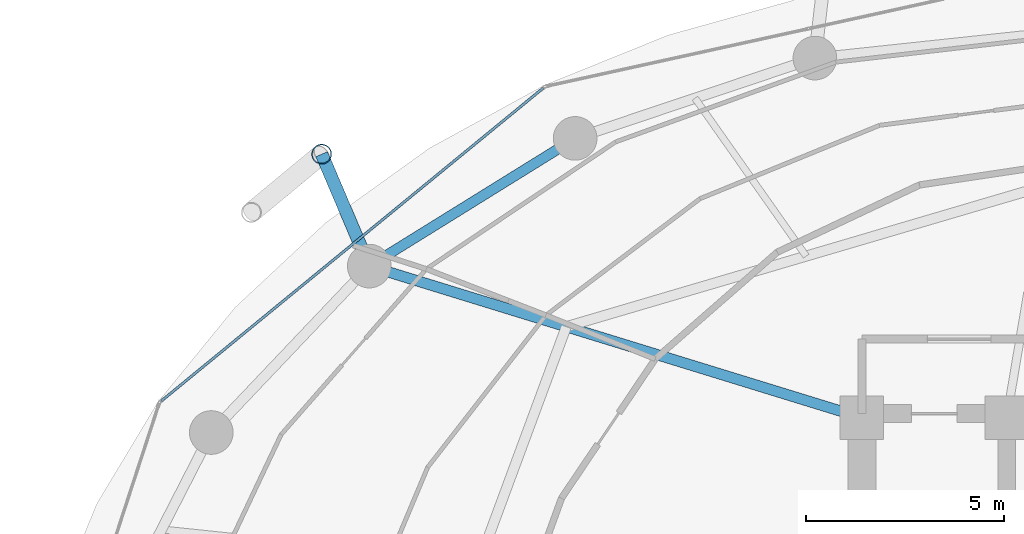
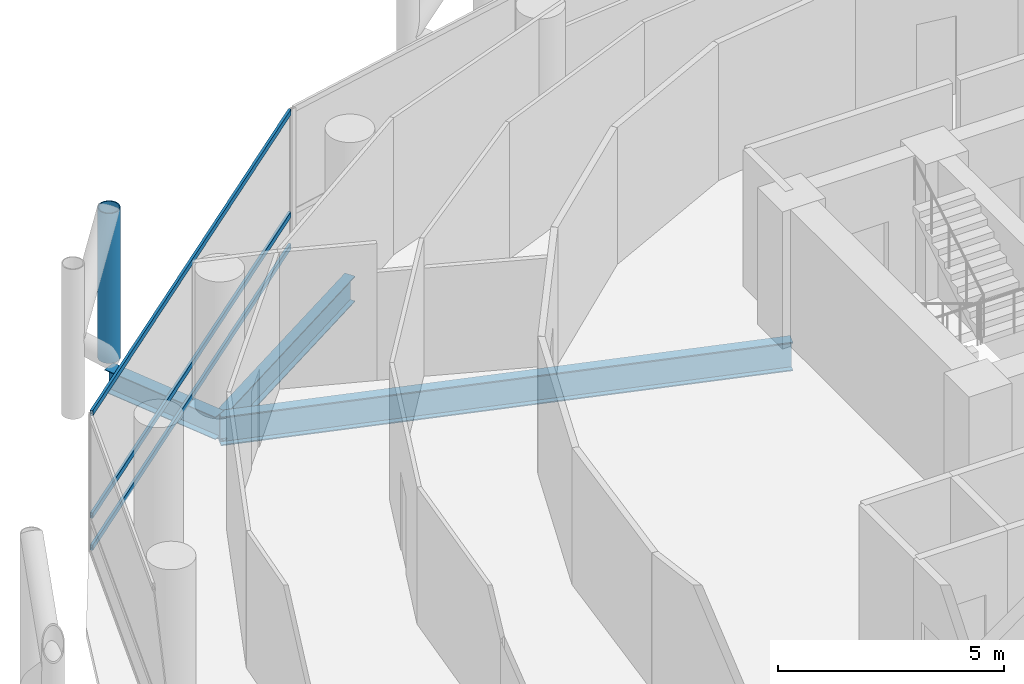
# One storey, part 14 of 27: 4 members, 3 beams, 1 element without a shape of its own.
"""IFC4 building model written with IfcOpenShell, lengths in metres."""

from ifc_helpers import new_model, si_unit, direction, frame, origin, origin_2d, place, context, subcontext, project, spatial, hollow_rectangle, hollow_circle, i_section, extrude, material, layer, layer_set, material_profile, profile_set, type_object, element, aggregate, save


model = new_model("IFC4")

# Units and contexts
model_context = context("Model", 3, precision=1e-05, world=origin(), true_north=direction((0.0, 1.0)))
body_context = subcontext(model_context, "Body", "Model", "MODEL_VIEW")
ifc_project = project(units=[si_unit("LENGTHUNIT", "METRE"), si_unit("AREAUNIT", "SQUARE_METRE"), si_unit("VOLUMEUNIT", "CUBIC_METRE"), si_unit("PLANEANGLEUNIT", "RADIAN"), si_unit("MASSUNIT", "GRAM", prefix="KILO")], contexts=[model_context])

# Site, building, storey
site_placement = place(None, origin())
site = spatial("IfcSite", under=ifc_project, at=site_placement, CompositionType="ELEMENT")
building_placement = place(site_placement, origin())
building = spatial("IfcBuilding", under=site, at=building_placement, Name="Nuhasar Tower", CompositionType="ELEMENT")
storey_placement = place(building_placement, frame((0.0, 0.0, 102.0)))
storey = spatial("IfcBuildingStorey", under=building, at=storey_placement, Name="L24", CompositionType="ELEMENT", Elevation=102.0)

# Beams
ifc_material_1 = material(Name="Steel S355", Category="steel")
ifc_material_profile_1 = material_profile(ifc_material_1, i_section(OverallWidth=0.26611328125, OverallDepth=0.779052734375, WebThickness=0.0166015625, FlangeThickness=0.030029296875, at=origin_2d()), Name="W30X148")
ifc_profile_set_1 = profile_set([ifc_material_profile_1], Name="Steel S355")
beam_type_1 = type_object("IfcBeamType", Name="BM-RAD-W30X148", PredefinedType="BEAM", material=ifc_profile_set_1)
beam_1_placement = place(storey_placement, frame((33.699951171875, 37.300048828125, -0.638916015625), z_axis=(-0.955789576103, 0.294051502653, 0.0), x_axis=(-0.294051502653, -0.955789576103, 0.0)))
element("IfcBeam", 1, at=beam_1_placement, inside=storey, type_object=beam_type_1, Name="L24 Radial Floor Girder 07", PredefinedType="BEAM", context=body_context, shape_type="SweptSolid", body=[
    extrude(i_section(OverallWidth=0.26611328125, OverallDepth=0.779052734375, WebThickness=0.0166015625, FlangeThickness=0.030029296875, at=origin_2d()), origin(), (0.0, 0.0, 1.0), 12.987060546875),
])
ifc_material_profile_2 = material_profile(ifc_material_1, i_section(OverallWidth=0.256103515625, OverallDepth=0.693115234375, WebThickness=0.014404296875, FlangeThickness=0.023681640625, at=origin_2d()), Name="W27X114")
ifc_profile_set_2 = profile_set([ifc_material_profile_2], Name="Steel S355")
beam_type_2 = type_object("IfcBeamType", Name="BM-RING-W27X114", PredefinedType="SPANDREL", material=ifc_profile_set_2)
beam_2_placement = place(storey_placement, frame((26.47509765625, 44.3369140625, -0.596923828125), z_axis=(-0.849795216549, -0.527112976439, 0.0), x_axis=(0.527112976439, -0.849795216549, 0.0)))
element("IfcBeam", 2, at=beam_2_placement, inside=storey, type_object=beam_type_2, Name="L24 Perimeter Ring Spandrel 09", PredefinedType="SPANDREL", context=body_context, shape_type="SweptSolid", body=[
    extrude(i_section(OverallWidth=0.256103515625, OverallDepth=0.693115234375, WebThickness=0.014404296875, FlangeThickness=0.023681640625, at=origin_2d()), origin(), (0.0, 0.0, 1.0), 6.10498046875),
])
ifc_material_profile_3 = material_profile(ifc_material_1, i_section(OverallWidth=0.323974609375, OverallDepth=0.611083984375, WebThickness=0.0126953125, FlangeThickness=0.01904296875, at=origin_2d()), Name="W24X104")
ifc_profile_set_3 = profile_set([ifc_material_profile_3], Name="Steel S355")
beam_type_3 = type_object("IfcBeamType", Name="BM-TIE-W24X104", PredefinedType="BEAM", material=ifc_profile_set_3)
beam_3_placement = place(storey_placement, frame((21.287109375, 41.118896484375, -0.554931640625), z_axis=(-0.391601084021, 0.920135093882, 0.0), x_axis=(-0.920135093882, -0.391601084021, 0.0)))
element("IfcBeam", 3, at=beam_3_placement, inside=storey, type_object=beam_type_3, Name="L24 Exoskeleton Node Tie Beam 05", PredefinedType="BEAM", context=body_context, shape_type="SweptSolid", body=[
    extrude(i_section(OverallWidth=0.323974609375, OverallDepth=0.611083984375, WebThickness=0.0126953125, FlangeThickness=0.01904296875, at=origin_2d()), origin(), (0.0, 0.0, 1.0), 3.06494140625),
])

# Curtain wall, members
ifc_material_2 = material(Name="Aluminium 6063-T6", Category="aluminium")
ifc_layer = layer(ifc_material_2, 0.199951171875)
ifc_layer_set = layer_set([ifc_layer], Name="Aluminium 6063-T6")
curtain_wall_type = type_object("IfcCurtainWallType", Name="CW-Z1-OFF", PredefinedType="NOTDEFINED", material=ifc_layer_set)
curtain_wall_placement = place(storey_placement, origin())
curtain_wall = element("IfcCurtainWall", 4, at=curtain_wall_placement, inside=storey, type_object=curtain_wall_type, Name="L24 Unitised Curtain Wall 05", PredefinedType="NOTDEFINED")
ifc_material_profile_4 = material_profile(ifc_material_2, hollow_rectangle(XDim=0.06494140625, YDim=0.14990234375, WallThickness=0.00439453125, at=origin_2d()), Name="CWT-2")
ifc_profile_set_4 = profile_set([ifc_material_profile_4], Name="Aluminium 6063-T6")
member_type_1 = type_object("IfcMemberType", Name="CW-TRN-S2", PredefinedType="USERDEFINED", material=ifc_profile_set_4)
member_1_placement = place(storey_placement, frame((25.669677734375, 45.603759765625, 0.032470703125), z_axis=(-0.773540851599, -0.633746440548, 0.0), x_axis=(0.633746440548, -0.773540851599, 0.0)))
member_1 = element("IfcMember", 5, at=member_1_placement, type_object=member_type_1, Name="CW-Z1 transom 1.1", ObjectType="TRANSOM", PredefinedType="USERDEFINED", context=body_context, shape_type="SweptSolid", body=[
    extrude(hollow_rectangle(XDim=0.06494140625, YDim=0.14990234375, WallThickness=0.00439453125, at=origin_2d()), origin(), (0.0, 0.0, 1.0), 12.43798828125),
])
member_2_placement = place(storey_placement, frame((25.669677734375, 45.603759765625, 0.89990234375), z_axis=(-0.773540851599, -0.633746440548, 0.0), x_axis=(0.633746440548, -0.773540851599, 0.0)))
member_2 = element("IfcMember", 6, at=member_2_placement, type_object=member_type_1, Name="CW-Z1 transom 1.2", ObjectType="TRANSOM", PredefinedType="USERDEFINED", context=body_context, shape_type="SweptSolid", body=[
    extrude(hollow_rectangle(XDim=0.06494140625, YDim=0.14990234375, WallThickness=0.00439453125, at=origin_2d()), origin(), (0.0, 0.0, 1.0), 12.43798828125),
])
member_3_placement = place(storey_placement, frame((25.669677734375, 45.603759765625, 3.66748046875), z_axis=(-0.773540851599, -0.633746440548, 0.0), x_axis=(0.633746440548, -0.773540851599, 0.0)))
member_3 = element("IfcMember", 7, at=member_3_placement, type_object=member_type_1, Name="CW-Z1 transom 1.3", ObjectType="TRANSOM", PredefinedType="USERDEFINED", context=body_context, shape_type="SweptSolid", body=[
    extrude(hollow_rectangle(XDim=0.06494140625, YDim=0.14990234375, WallThickness=0.00439453125, at=origin_2d()), origin(), (0.0, 0.0, 1.0), 12.43798828125),
])
aggregate(curtain_wall, [member_1, member_2, member_3])

# Member
ifc_material_3 = material(Name="Steel S460", Category="steel")
ifc_material_profile_5 = material_profile(ifc_material_3, hollow_circle(Radius=0.25390625, WallThickness=0.025390625, at=origin_2d()), Name="HSS508X25.4")
ifc_profile_set_5 = profile_set([ifc_material_profile_5], Name="Steel S460")
member_type_2 = type_object("IfcMemberType", Name="EXO-BRONZE-508", PredefinedType="BRACE", material=ifc_profile_set_5)
member_4_placement = place(storey_placement, frame((20.0869140625, 43.93896484375, 0.0), z_axis=(0.0, 0.0, 1.0), x_axis=(1.0, 0.0, 0.0)))
element("IfcMember", 8, at=member_4_placement, inside=storey, type_object=member_type_2, Name="L24 Exoskeleton Chord Column EC-05A", PredefinedType="BRACE", context=body_context, shape_type="SweptSolid", body=[
    extrude(hollow_circle(Radius=0.25390625, WallThickness=0.025390625, at=origin_2d()), origin(), (0.0, 0.0, 1.0), 4.050048828125),
])

save(model, "model.ifc")
